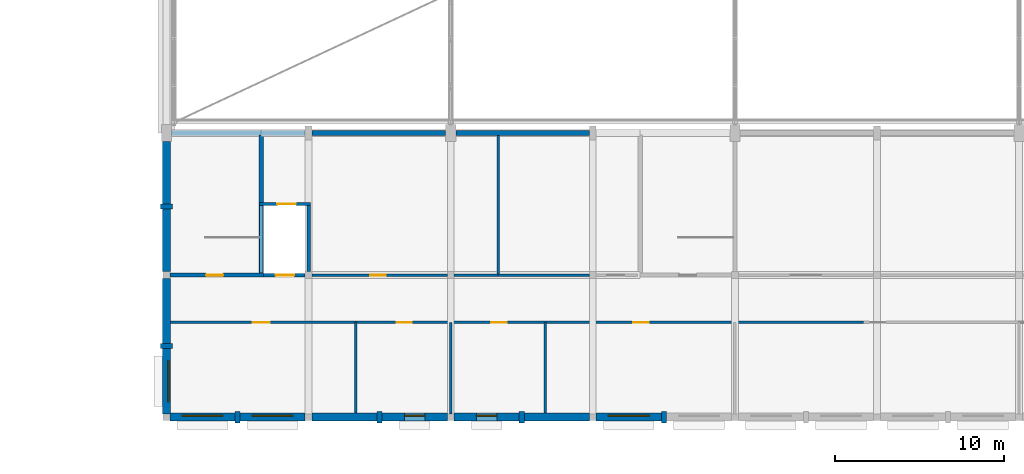
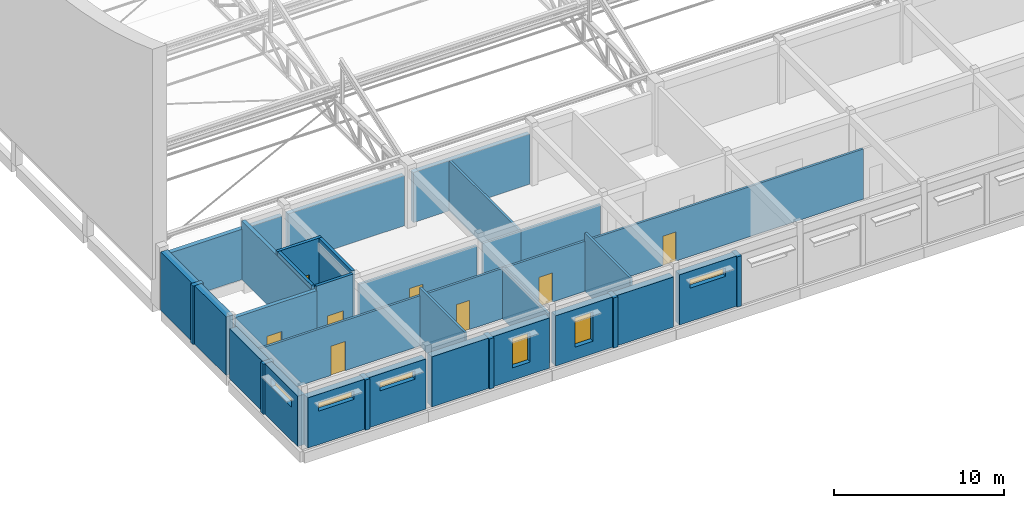
# One storey, part 70 of 101: 35 walls, 8 doors, 6 windows, 14 openings.
"""IFC4 building model written with IfcOpenShell, lengths in metres."""

from ifc_helpers import new_model, si_unit, direction, frame, frame_2d, origin, place, context, subcontext, project, spatial, rectangle, extrude, material, layer, layer_set, type_object, element, fill, save


model = new_model("IFC4")

# Units and contexts
model_context = context("Model", 3, precision=1e-05, world=origin(), true_north=direction((0.0, 1.0)))
body_context = subcontext(model_context, "Body", "Model", "MODEL_VIEW")
ifc_project = project(units=[si_unit("LENGTHUNIT", "METRE"), si_unit("AREAUNIT", "SQUARE_METRE"), si_unit("VOLUMEUNIT", "CUBIC_METRE"), si_unit("PLANEANGLEUNIT", "RADIAN"), si_unit("MASSUNIT", "GRAM", prefix="KILO")], contexts=[model_context])

# Site, building, storey
site_placement = place(None, origin())
site = spatial("IfcSite", under=ifc_project, at=site_placement, CompositionType="ELEMENT")
building_placement = place(site_placement, origin())
building = spatial("IfcBuilding", under=site, at=building_placement, Name="Fescue Hill Polytechnic", CompositionType="ELEMENT")
storey_placement = place(building_placement, frame((0.0, 0.0, 9.0)))
storey = spatial("IfcBuildingStorey", under=building, at=storey_placement, Name="L02", CompositionType="ELEMENT", Elevation=9.0)

# Wall, opening, door
ifc_material_1 = material(Name="Concrete 40 MPa", Category="concrete")
ifc_layer_1 = layer(ifc_material_1, 0.25)
ifc_layer_set_1 = layer_set([ifc_layer_1], Name="Concrete 40 MPa")
wall_type_1 = type_object("IfcWallType", Name="Core wall 250", PredefinedType="SHEAR", material=ifc_layer_set_1)
wall_1_placement = place(storey_placement, frame((0.199951171875, 8.39990234375, 0.0), z_axis=(0.0, 0.0, 1.0), x_axis=(1.0, 0.0, 0.0)))
wall_1 = element("IfcWall", 1, at=wall_1_placement, inside=storey, type_object=wall_type_1, Name="CW-L02-ST-V1-1-11", PredefinedType="SHEAR", context=body_context, shape_type="SweptSolid", body=[
    extrude(rectangle(XDim=5.525146484375, YDim=0.25, at=frame_2d((2.7626953125, 0.0))), origin(), (0.0, 0.0, 1.0), 4.199951171875),
])
opening_1_placement = place(wall_1_placement, frame((2.14990234375, 0.0, 0.0)))
opening_1 = element("IfcOpeningElement", 2, at=opening_1_placement, cuts=wall_1, Name="Opening D2076", PredefinedType="OPENING", context=body_context, shape_type="SweptSolid", body=[
    extrude(rectangle(XDim=1.0, YDim=2.10009765625, at=frame_2d((0.5, 1.050048828125))), frame((0.0, 0.135009765625, 0.0), z_axis=(0.0, -1.0, 0.0), x_axis=(1.0, 0.0, 0.0)), (0.0, 0.0, 1.0), 0.27001953125),
])
ifc_material_2 = material(Name="Steel fire door", Category="steel")
door_type_1 = type_object("IfcDoorType", Name="Door single swing 1000x2100 stair fire rated", OperationType="NOTDEFINED", PredefinedType="DOOR", material=ifc_material_2)
door_1_placement = place(opening_1_placement, origin())
door_1 = element("IfcDoor", 3, at=door_1_placement, inside=storey, type_object=door_type_1, Name="L02 ST-V1-1 stair door", OperationType="SINGLE_SWING_RIGHT", OverallHeight=2.10009765625, OverallWidth=1.0, PredefinedType="DOOR", context=body_context, shape_type="SweptSolid", body=[
    extrude(rectangle(XDim=1.0, YDim=2.10009765625, at=frame_2d((0.5, 1.050048828125))), frame((0.0, 0.02490234375, 0.0), z_axis=(0.0, -1.0, 0.0), x_axis=(1.0, 0.0, 0.0)), (0.0, 0.0, 1.0), 0.050048828125),
])
fill(opening_1, door_1)

# Wall
wall_2_placement = place(storey_placement, frame((5.60009765625, 8.52490234375, 0.0), z_axis=(0.0, 0.0, 1.0), x_axis=(0.0, 1.0, 0.0)))
element("IfcWall", 4, at=wall_2_placement, inside=storey, type_object=wall_type_1, Name="CW-L02-ST-V1-1-41", PredefinedType="SHEAR", context=body_context, shape_type="SweptSolid", body=[
    extrude(rectangle(XDim=8.150146484375, YDim=0.25, at=frame_2d((4.0751953125, 0.0))), origin(), (0.0, 0.0, 1.0), 4.199951171875),
])

# Wall, openings, doors
ifc_material_3 = material(Name="Gypsum board partition")
ifc_layer_2 = layer(ifc_material_3, 0.14990234375)
ifc_layer_set_2 = layer_set([ifc_layer_2], Name="Gypsum board partition")
wall_type_2 = type_object("IfcWallType", Name="Corridor wall 150 EI 45", PredefinedType="PARTITIONING", material=ifc_layer_set_2)
wall_3_placement = place(storey_placement, frame((11.199951171875, 5.60009765625, 0.0), z_axis=(0.0, 0.0, 1.0), x_axis=(1.0, 0.0, 0.0)))
wall_3 = element("IfcWall", 5, at=wall_3_placement, inside=storey, type_object=wall_type_2, Name="IW-L02-001", PredefinedType="PARTITIONING", context=body_context, shape_type="SweptSolid", body=[
    extrude(rectangle(XDim=30.0, YDim=0.14990234375, at=frame_2d((15.0, 0.0))), origin(), (0.0, 0.0, 1.0), 3.60009765625),
])
opening_2_placement = place(wall_3_placement, frame((2.39990234375, 0.0, 0.0)))
opening_2 = element("IfcOpeningElement", 6, at=opening_2_placement, cuts=wall_3, Name="Opening D2009", PredefinedType="OPENING", context=body_context, shape_type="SweptSolid", body=[
    extrude(rectangle(XDim=0.89990234375, YDim=2.10009765625, at=frame_2d((0.449951171875, 1.050048828125))), frame((0.0, 0.0849609375, 0.0), z_axis=(0.0, -1.0, 0.0), x_axis=(1.0, 0.0, 0.0)), (0.0, 0.0, 1.0), 0.169921875),
])
opening_3_placement = place(wall_3_placement, frame((8.0, 0.0, 0.0)))
opening_3 = element("IfcOpeningElement", 7, at=opening_3_placement, cuts=wall_3, Name="Opening D2010", PredefinedType="OPENING", context=body_context, shape_type="SweptSolid", body=[
    extrude(rectangle(XDim=0.89990234375, YDim=2.10009765625, at=frame_2d((0.449951171875, 1.050048828125))), frame((0.0, 0.0849609375, 0.0), z_axis=(0.0, -1.0, 0.0), x_axis=(1.0, 0.0, 0.0)), (0.0, 0.0, 1.0), 0.169921875),
])
opening_4_placement = place(wall_3_placement, frame((16.39990234375, 0.0, 0.0)))
opening_4 = element("IfcOpeningElement", 8, at=opening_4_placement, cuts=wall_3, Name="Opening D2011", PredefinedType="OPENING", context=body_context, shape_type="SweptSolid", body=[
    extrude(rectangle(XDim=0.89990234375, YDim=2.10009765625, at=frame_2d((0.449951171875, 1.050048828125))), frame((0.0, 0.0849609375, 0.0), z_axis=(0.0, -1.0, 0.0), x_axis=(1.0, 0.0, 0.0)), (0.0, 0.0, 1.0), 0.169921875),
])
ifc_material_4 = material(Name="Timber", Category="wood")
door_type_2 = type_object("IfcDoorType", Name="Door single swing 900x2100 FD30S", OperationType="SINGLE_SWING_LEFT", PredefinedType="DOOR", material=ifc_material_4)
door_2_placement = place(opening_2_placement, origin())
door_2 = element("IfcDoor", 9, at=door_2_placement, inside=storey, type_object=door_type_2, Name="Door D2009", OperationType="SINGLE_SWING_LEFT", OverallHeight=2.10009765625, OverallWidth=0.89990234375, PredefinedType="DOOR", context=body_context, shape_type="SweptSolid", body=[
    extrude(rectangle(XDim=0.89990234375, YDim=2.10009765625, at=frame_2d((0.449951171875, 1.050048828125))), frame((0.0, 0.02490234375, 0.0), z_axis=(0.0, -1.0, 0.0), x_axis=(1.0, 0.0, 0.0)), (0.0, 0.0, 1.0), 0.050048828125),
])
fill(opening_2, door_2)
door_3_placement = place(opening_3_placement, origin())
door_3 = element("IfcDoor", 10, at=door_3_placement, inside=storey, type_object=door_type_2, Name="Door D2010", OperationType="SINGLE_SWING_LEFT", OverallHeight=2.10009765625, OverallWidth=0.89990234375, PredefinedType="DOOR", context=body_context, shape_type="SweptSolid", body=[
    extrude(rectangle(XDim=0.89990234375, YDim=2.10009765625, at=frame_2d((0.449951171875, 1.050048828125))), frame((0.0, 0.02490234375, 0.0), z_axis=(0.0, -1.0, 0.0), x_axis=(1.0, 0.0, 0.0)), (0.0, 0.0, 1.0), 0.050048828125),
])
fill(opening_3, door_3)
door_4_placement = place(opening_4_placement, origin())
door_4 = element("IfcDoor", 11, at=door_4_placement, inside=storey, type_object=door_type_2, Name="Door D2011", OperationType="SINGLE_SWING_RIGHT", OverallHeight=2.10009765625, OverallWidth=0.89990234375, PredefinedType="DOOR", context=body_context, shape_type="SweptSolid", body=[
    extrude(rectangle(XDim=0.89990234375, YDim=2.10009765625, at=frame_2d((0.449951171875, 1.050048828125))), frame((0.0, 0.02490234375, 0.0), z_axis=(0.0, -1.0, 0.0), x_axis=(1.0, 0.0, 0.0)), (0.0, 0.0, 1.0), 0.050048828125),
])
fill(opening_4, door_4)

# Wall, opening, door
wall_4_placement = place(storey_placement, frame((8.60009765625, 8.39990234375, 0.0), z_axis=(0.0, 0.0, 1.0), x_axis=(1.0, 0.0, 0.0)))
wall_4 = element("IfcWall", 12, at=wall_4_placement, inside=storey, type_object=wall_type_2, Name="IW-L02-009", PredefinedType="PARTITIONING", context=body_context, shape_type="SweptSolid", body=[
    extrude(rectangle(XDim=8.0, YDim=0.14990234375, at=frame_2d((4.0, 0.0))), origin(), (0.0, 0.0, 1.0), 3.60009765625),
])
opening_5_placement = place(wall_4_placement, frame((3.449951171875, 0.0, 0.0)))
opening_5 = element("IfcOpeningElement", 13, at=opening_5_placement, cuts=wall_4, Name="Opening D2021", PredefinedType="OPENING", context=body_context, shape_type="SweptSolid", body=[
    extrude(rectangle(XDim=0.89990234375, YDim=2.10009765625, at=frame_2d((0.449951171875, 1.050048828125))), frame((0.0, 0.0849609375, 0.0), z_axis=(0.0, -1.0, 0.0), x_axis=(1.0, 0.0, 0.0)), (0.0, 0.0, 1.0), 0.169921875),
])
door_5_placement = place(opening_5_placement, origin())
door_5 = element("IfcDoor", 14, at=door_5_placement, inside=storey, type_object=door_type_2, Name="Door D2021", OperationType="SINGLE_SWING_LEFT", OverallHeight=2.10009765625, OverallWidth=0.89990234375, PredefinedType="DOOR", context=body_context, shape_type="SweptSolid", body=[
    extrude(rectangle(XDim=0.89990234375, YDim=2.10009765625, at=frame_2d((0.449951171875, 1.050048828125))), frame((0.0, 0.02490234375, 0.0), z_axis=(0.0, -1.0, 0.0), x_axis=(1.0, 0.0, 0.0)), (0.0, 0.0, 1.0), 0.050048828125),
])
fill(opening_5, door_5)

# Walls
wall_5_placement = place(storey_placement, frame((17.0, 8.39990234375, 0.0), z_axis=(0.0, 0.0, 1.0), x_axis=(1.0, 0.0, 0.0)))
element("IfcWall", 15, at=wall_5_placement, inside=storey, type_object=wall_type_2, Name="IW-L02-010", PredefinedType="PARTITIONING", context=body_context, shape_type="SweptSolid", body=[
    extrude(rectangle(XDim=2.60009765625, YDim=0.14990234375, at=frame_2d((1.300048828125, 0.0))), origin(), (0.0, 0.0, 1.0), 3.60009765625),
])
ifc_material_5 = material(Name="Clay brick masonry", Category="masonry")
ifc_layer_3 = layer(ifc_material_5, 0.47998046875)
ifc_layer_set_3 = layer_set([ifc_layer_3], Name="Clay brick masonry")
wall_type_3 = type_object("IfcWallType", Name="Exterior wall engineering brick cavity 480", PredefinedType="SOLIDWALL", material=ifc_layer_set_3)
wall_6_placement = place(storey_placement, frame((0.0, 8.199951171875, 0.0), z_axis=(0.0, 0.0, 1.0), x_axis=(0.0, -1.0, 0.0)))
element("IfcWall", 16, at=wall_6_placement, inside=storey, type_object=wall_type_3, Name="EW-L02-V1-21", PredefinedType="SOLIDWALL", context=body_context, shape_type="SweptSolid", body=[
    extrude(rectangle(XDim=3.849853515625, YDim=0.47998046875, at=frame_2d((1.9248046875, 0.0))), origin(), (0.0, 0.0, 1.0), 3.60009765625),
])

# Wall, opening, window
wall_7_placement = place(storey_placement, frame((0.0, 4.050048828125, 0.0), z_axis=(0.0, 0.0, 1.0), x_axis=(0.0, -1.0, 0.0)))
wall_7 = element("IfcWall", 17, at=wall_7_placement, inside=storey, type_object=wall_type_3, Name="EW-L02-V1-22", PredefinedType="SOLIDWALL", context=body_context, shape_type="SweptSolid", body=[
    extrude(rectangle(XDim=3.85009765625, YDim=0.47998046875, at=frame_2d((1.925048828125, 0.0))), origin(), (0.0, 0.0, 1.0), 3.60009765625),
])
opening_6_placement = place(wall_7_placement, frame((0.72509765625, 0.0, 2.39990234375)))
opening_6 = element("IfcOpeningElement", 18, at=opening_6_placement, cuts=wall_7, Name="Opening W2R", PredefinedType="OPENING", context=body_context, shape_type="SweptSolid", body=[
    extrude(rectangle(XDim=2.39990234375, YDim=0.60009765625, at=frame_2d((1.199951171875, 0.300048828125))), frame((0.0, 0.25, 0.0), z_axis=(0.0, -1.0, 0.0), x_axis=(1.0, 0.0, 0.0)), (0.0, 0.0, 1.0), 0.5),
])
ifc_material_6 = material(Name="Powder-coated aluminium and glass", Category="aluminium")
window_type_1 = type_object("IfcWindowType", Name="Window workshop high 2400x600", PartitioningType="TRIPLE_PANEL_VERTICAL", PredefinedType="WINDOW", material=ifc_material_6)
window_1_placement = place(opening_6_placement, origin())
window_1 = element("IfcWindow", 19, at=window_1_placement, inside=storey, type_object=window_type_1, Name="WN-L02-V1-2", OverallHeight=0.60009765625, OverallWidth=2.39990234375, PartitioningType="SINGLE_PANEL", PredefinedType="WINDOW", context=body_context, shape_type="SweptSolid", body=[
    extrude(rectangle(XDim=2.39990234375, YDim=0.60009765625, at=frame_2d((1.199951171875, 0.300048828125))), frame((0.0, 0.1201171875, 0.0), z_axis=(0.0, -1.0, 0.0), x_axis=(1.0, 0.0, 0.0)), (0.0, 0.0, 1.0), 0.06005859375),
])
fill(opening_6, window_1)

wall_8_placement = place(storey_placement, frame((0.199951171875, 0.0, 0.0), z_axis=(0.0, 0.0, 1.0), x_axis=(1.0, 0.0, 0.0)))
wall_8 = element("IfcWall", 20, at=wall_8_placement, inside=storey, type_object=wall_type_3, Name="EW-L02-V1-23", PredefinedType="SOLIDWALL", context=body_context, shape_type="SweptSolid", body=[
    extrude(rectangle(XDim=3.85009765625, YDim=0.47998046875, at=frame_2d((1.925048828125, 0.0))), origin(), (0.0, 0.0, 1.0), 3.60009765625),
])
opening_7_placement = place(wall_8_placement, frame((0.72509765625, 0.0, 2.39990234375)))
opening_7 = element("IfcOpeningElement", 21, at=opening_7_placement, cuts=wall_8, Name="Opening W2R", PredefinedType="OPENING", context=body_context, shape_type="SweptSolid", body=[
    extrude(rectangle(XDim=2.39990234375, YDim=0.60009765625, at=frame_2d((1.199951171875, 0.300048828125))), frame((0.0, 0.25, 0.0), z_axis=(0.0, -1.0, 0.0), x_axis=(1.0, 0.0, 0.0)), (0.0, 0.0, 1.0), 0.5),
])
window_2_placement = place(opening_7_placement, origin())
window_2 = element("IfcWindow", 22, at=window_2_placement, inside=storey, type_object=window_type_1, Name="WN-L02-V1-3", OverallHeight=0.60009765625, OverallWidth=2.39990234375, PartitioningType="SINGLE_PANEL", PredefinedType="WINDOW", context=body_context, shape_type="SweptSolid", body=[
    extrude(rectangle(XDim=2.39990234375, YDim=0.60009765625, at=frame_2d((1.199951171875, 0.300048828125))), frame((0.0, 0.1201171875, 0.0), z_axis=(0.0, -1.0, 0.0), x_axis=(1.0, 0.0, 0.0)), (0.0, 0.0, 1.0), 0.06005859375),
])
fill(opening_7, window_2)

wall_9_placement = place(storey_placement, frame((4.35009765625, 0.0, 0.0), z_axis=(0.0, 0.0, 1.0), x_axis=(1.0, 0.0, 0.0)))
wall_9 = element("IfcWall", 23, at=wall_9_placement, inside=storey, type_object=wall_type_3, Name="EW-L02-V1-24", PredefinedType="SOLIDWALL", context=body_context, shape_type="SweptSolid", body=[
    extrude(rectangle(XDim=3.849853515625, YDim=0.47998046875, at=frame_2d((1.9248046875, 0.0))), origin(), (0.0, 0.0, 1.0), 3.60009765625),
])
opening_8_placement = place(wall_9_placement, frame((0.72509765625, 0.0, 2.39990234375)))
opening_8 = element("IfcOpeningElement", 24, at=opening_8_placement, cuts=wall_9, Name="Opening W2R", PredefinedType="OPENING", context=body_context, shape_type="SweptSolid", body=[
    extrude(rectangle(XDim=2.39990234375, YDim=0.60009765625, at=frame_2d((1.199951171875, 0.300048828125))), frame((0.0, 0.25, 0.0), z_axis=(0.0, -1.0, 0.0), x_axis=(1.0, 0.0, 0.0)), (0.0, 0.0, 1.0), 0.5),
])
window_3_placement = place(opening_8_placement, origin())
window_3 = element("IfcWindow", 25, at=window_3_placement, inside=storey, type_object=window_type_1, Name="WN-L02-V1-4", OverallHeight=0.60009765625, OverallWidth=2.39990234375, PartitioningType="SINGLE_PANEL", PredefinedType="WINDOW", context=body_context, shape_type="SweptSolid", body=[
    extrude(rectangle(XDim=2.39990234375, YDim=0.60009765625, at=frame_2d((1.199951171875, 0.300048828125))), frame((0.0, 0.1201171875, 0.0), z_axis=(0.0, -1.0, 0.0), x_axis=(1.0, 0.0, 0.0)), (0.0, 0.0, 1.0), 0.06005859375),
])
fill(opening_8, window_3)

# Wall
wall_10_placement = place(storey_placement, frame((8.60009765625, 0.0, 0.0), z_axis=(0.0, 0.0, 1.0), x_axis=(1.0, 0.0, 0.0)))
element("IfcWall", 26, at=wall_10_placement, inside=storey, type_object=wall_type_3, Name="EW-L02-V1-25", PredefinedType="SOLIDWALL", context=body_context, shape_type="SweptSolid", body=[
    extrude(rectangle(XDim=3.849853515625, YDim=0.47998046875, at=frame_2d((1.9248046875, 0.0))), origin(), (0.0, 0.0, 1.0), 3.60009765625),
])

# Wall, opening, window
wall_11_placement = place(storey_placement, frame((12.75, 0.0, 0.0), z_axis=(0.0, 0.0, 1.0), x_axis=(1.0, 0.0, 0.0)))
wall_11 = element("IfcWall", 27, at=wall_11_placement, inside=storey, type_object=wall_type_3, Name="EW-L02-V1-26", PredefinedType="SOLIDWALL", context=body_context, shape_type="SweptSolid", body=[
    extrude(rectangle(XDim=3.85009765625, YDim=0.47998046875, at=frame_2d((1.925048828125, 0.0))), origin(), (0.0, 0.0, 1.0), 3.60009765625),
])
opening_9_placement = place(wall_11_placement, frame((1.324951171875, 0.0, 0.89990234375)))
opening_9 = element("IfcOpeningElement", 28, at=opening_9_placement, cuts=wall_11, Name="Opening W13", PredefinedType="OPENING", context=body_context, shape_type="SweptSolid", body=[
    extrude(rectangle(XDim=1.199951171875, YDim=2.10009765625, at=frame_2d((0.60009765625, 1.050048828125))), frame((0.0, 0.25, 0.0), z_axis=(0.0, -1.0, 0.0), x_axis=(1.0, 0.0, 0.0)), (0.0, 0.0, 1.0), 0.5),
])
window_type_2 = type_object("IfcWindowType", Name="Window cellular office 1200x2100", PartitioningType="SINGLE_PANEL", PredefinedType="WINDOW", material=ifc_material_6)
window_4_placement = place(opening_9_placement, origin())
window_4 = element("IfcWindow", 29, at=window_4_placement, inside=storey, type_object=window_type_2, Name="WN-L02-V1-5", OverallHeight=2.10009765625, OverallWidth=1.199951171875, PartitioningType="SINGLE_PANEL", PredefinedType="WINDOW", context=body_context, shape_type="SweptSolid", body=[
    extrude(rectangle(XDim=1.199951171875, YDim=2.10009765625, at=frame_2d((0.60009765625, 1.050048828125))), frame((0.0, 0.1201171875, 0.0), z_axis=(0.0, -1.0, 0.0), x_axis=(1.0, 0.0, 0.0)), (0.0, 0.0, 1.0), 0.06005859375),
])
fill(opening_9, window_4)

wall_12_placement = place(storey_placement, frame((17.0, 0.0, 0.0), z_axis=(0.0, 0.0, 1.0), x_axis=(1.0, 0.0, 0.0)))
wall_12 = element("IfcWall", 30, at=wall_12_placement, inside=storey, type_object=wall_type_3, Name="EW-L02-V1-27", PredefinedType="SOLIDWALL", context=body_context, shape_type="SweptSolid", body=[
    extrude(rectangle(XDim=3.85009765625, YDim=0.47998046875, at=frame_2d((1.925048828125, 0.0))), origin(), (0.0, 0.0, 1.0), 3.60009765625),
])
opening_10_placement = place(wall_12_placement, frame((1.324951171875, 0.0, 0.89990234375)))
opening_10 = element("IfcOpeningElement", 31, at=opening_10_placement, cuts=wall_12, Name="Opening W13", PredefinedType="OPENING", context=body_context, shape_type="SweptSolid", body=[
    extrude(rectangle(XDim=1.199951171875, YDim=2.10009765625, at=frame_2d((0.60009765625, 1.050048828125))), frame((0.0, 0.25, 0.0), z_axis=(0.0, -1.0, 0.0), x_axis=(1.0, 0.0, 0.0)), (0.0, 0.0, 1.0), 0.5),
])
window_5_placement = place(opening_10_placement, origin())
window_5 = element("IfcWindow", 32, at=window_5_placement, inside=storey, type_object=window_type_2, Name="WN-L02-V1-6", OverallHeight=2.10009765625, OverallWidth=1.199951171875, PartitioningType="SINGLE_PANEL", PredefinedType="WINDOW", context=body_context, shape_type="SweptSolid", body=[
    extrude(rectangle(XDim=1.199951171875, YDim=2.10009765625, at=frame_2d((0.60009765625, 1.050048828125))), frame((0.0, 0.1201171875, 0.0), z_axis=(0.0, -1.0, 0.0), x_axis=(1.0, 0.0, 0.0)), (0.0, 0.0, 1.0), 0.06005859375),
])
fill(opening_10, window_5)

# Wall
wall_13_placement = place(storey_placement, frame((21.14990234375, 0.0, 0.0), z_axis=(0.0, 0.0, 1.0), x_axis=(1.0, 0.0, 0.0)))
element("IfcWall", 33, at=wall_13_placement, inside=storey, type_object=wall_type_3, Name="EW-L02-V1-28", PredefinedType="SOLIDWALL", context=body_context, shape_type="SweptSolid", body=[
    extrude(rectangle(XDim=3.85009765625, YDim=0.47998046875, at=frame_2d((1.925048828125, 0.0))), origin(), (0.0, 0.0, 1.0), 3.60009765625),
])

# Wall, opening, window
wall_14_placement = place(storey_placement, frame((25.39990234375, 0.0, 0.0), z_axis=(0.0, 0.0, 1.0), x_axis=(1.0, 0.0, 0.0)))
wall_14 = element("IfcWall", 34, at=wall_14_placement, inside=storey, type_object=wall_type_3, Name="EW-L02-V1-29", PredefinedType="SOLIDWALL", context=body_context, shape_type="SweptSolid", body=[
    extrude(rectangle(XDim=3.85009765625, YDim=0.47998046875, at=frame_2d((1.925048828125, 0.0))), origin(), (0.0, 0.0, 1.0), 3.60009765625),
])
opening_11_placement = place(wall_14_placement, frame((0.72509765625, 0.0, 2.39990234375)))
opening_11 = element("IfcOpeningElement", 35, at=opening_11_placement, cuts=wall_14, Name="Opening W2R", PredefinedType="OPENING", context=body_context, shape_type="SweptSolid", body=[
    extrude(rectangle(XDim=2.39990234375, YDim=0.60009765625, at=frame_2d((1.199951171875, 0.300048828125))), frame((0.0, 0.25, 0.0), z_axis=(0.0, -1.0, 0.0), x_axis=(1.0, 0.0, 0.0)), (0.0, 0.0, 1.0), 0.5),
])
window_6_placement = place(opening_11_placement, origin())
window_6 = element("IfcWindow", 36, at=window_6_placement, inside=storey, type_object=window_type_1, Name="WN-L02-V1-7", OverallHeight=0.60009765625, OverallWidth=2.39990234375, PartitioningType="SINGLE_PANEL", PredefinedType="WINDOW", context=body_context, shape_type="SweptSolid", body=[
    extrude(rectangle(XDim=2.39990234375, YDim=0.60009765625, at=frame_2d((1.199951171875, 0.300048828125))), frame((0.0, 0.1201171875, 0.0), z_axis=(0.0, -1.0, 0.0), x_axis=(1.0, 0.0, 0.0)), (0.0, 0.0, 1.0), 0.06005859375),
])
fill(opening_11, window_6)

# Walls
ifc_layer_4 = layer(ifc_material_5, 0.47998046875)
ifc_layer_set_4 = layer_set([ifc_layer_4], Name="Clay brick masonry")
wall_type_4 = type_object("IfcWallType", Name="Exterior wall engineering brick cavity 480 load-bearing", PredefinedType="SOLIDWALL", material=ifc_layer_set_4)
for number, where, z_axis, x_axis, name in (
    (37, (0.0, 16.300048828125, 0.0), (0.0, 0.0, 1.0), (0.0, -1.0, 0.0), "EW-L02-V1-19"),
    (38, (0.0, 12.300048828125, 0.0), (0.0, 0.0, 1.0), (0.0, -1.0, 0.0), "EW-L02-V1-20"),
):
    element("IfcWall", number, at=place(storey_placement, frame(where, z_axis=z_axis, x_axis=x_axis)), inside=storey, type_object=wall_type_4, Name=name, PredefinedType="SOLIDWALL", context=body_context, shape_type="SweptSolid", body=[
        extrude(rectangle(XDim=3.699951171875, YDim=0.47998046875, at=frame_2d((1.85009765625, 0.0))), origin(), (0.0, 0.0, 1.0), 4.199951171875),
    ])
ifc_layer_5 = layer(ifc_material_1, 0.699951171875)
ifc_layer_set_5 = layer_set([ifc_layer_5], Name="Concrete 40 MPa")
wall_type_5 = type_object("IfcWallType", Name="Fin wall board-marked 300x700", PredefinedType="SOLIDWALL", material=ifc_layer_set_5)
for number, where, z_axis, x_axis, name in (
    (39, (0.0, 4.35009765625, 0.0), (0.0, 0.0, 1.0), (0.0, -1.0, 0.0), "PR-L02-V1-4"),
    (40, (4.050048828125, 0.0, 0.0), (0.0, 0.0, 1.0), (1.0, 0.0, 0.0), "PR-L02-V1-5"),
    (41, (12.449951171875, 0.0, 0.0), (0.0, 0.0, 1.0), (1.0, 0.0, 0.0), "PR-L02-V1-6"),
):
    element("IfcWall", number, at=place(storey_placement, frame(where, z_axis=z_axis, x_axis=x_axis)), inside=storey, type_object=wall_type_5, Name=name, PredefinedType="SOLIDWALL", context=body_context, shape_type="SweptSolid", body=[
        extrude(rectangle(XDim=0.300048828125, YDim=0.699951171875, at=frame_2d((0.14990234375, 0.0))), origin(), (0.0, 0.0, 1.0), 3.60009765625),
    ])
wall_15_placement = place(storey_placement, frame((20.85009765625, 0.0, 0.0), z_axis=(0.0, 0.0, 1.0), x_axis=(1.0, 0.0, 0.0)))
element("IfcWall", 42, at=wall_15_placement, inside=storey, type_object=wall_type_5, Name="PR-L02-V1-7", PredefinedType="SOLIDWALL", context=body_context, shape_type="SweptSolid", body=[
    extrude(rectangle(XDim=0.2998046875, YDim=0.699951171875, at=frame_2d((0.14990234375, 0.0))), origin(), (0.0, 0.0, 1.0), 3.60009765625),
])
wall_16_placement = place(storey_placement, frame((29.25, 0.0, 0.0), z_axis=(0.0, 0.0, 1.0), x_axis=(1.0, 0.0, 0.0)))
element("IfcWall", 43, at=wall_16_placement, inside=storey, type_object=wall_type_5, Name="PR-L02-V1-8", PredefinedType="SOLIDWALL", context=body_context, shape_type="SweptSolid", body=[
    extrude(rectangle(XDim=0.300048828125, YDim=0.699951171875, at=frame_2d((0.14990234375, 0.0))), origin(), (0.0, 0.0, 1.0), 3.60009765625),
])
ifc_layer_6 = layer(ifc_material_1, 0.699951171875)
ifc_layer_set_6 = layer_set([ifc_layer_6], Name="Concrete 40 MPa")
wall_type_6 = type_object("IfcWallType", Name="Fin wall board-marked 300x700 load-bearing", PredefinedType="SOLIDWALL", material=ifc_layer_set_6)
wall_17_placement = place(storey_placement, frame((0.0, 12.60009765625, 0.0), z_axis=(0.0, 0.0, 1.0), x_axis=(0.0, -1.0, 0.0)))
element("IfcWall", 44, at=wall_17_placement, inside=storey, type_object=wall_type_6, Name="PR-L02-V1-3", PredefinedType="SOLIDWALL", context=body_context, shape_type="SweptSolid", body=[
    extrude(rectangle(XDim=0.300048828125, YDim=0.699951171875, at=frame_2d((0.14990234375, 0.0))), origin(), (0.0, 0.0, 1.0), 4.199951171875),
])
ifc_layer_7 = layer(ifc_material_1, 0.300048828125)
ifc_layer_set_7 = layer_set([ifc_layer_7], Name="Concrete 40 MPa")
wall_type_7 = type_object("IfcWallType", Name="Hall wall concrete 300 fire rated", PredefinedType="SOLIDWALL", material=ifc_layer_set_7)
for number, where, z_axis, x_axis, name in (
    (45, (25.0, 16.800048828125, 0.0), (0.0, 0.0, 1.0), (-1.0, 0.0, 0.0), "EW-L02-V1-16"),
    (46, (16.5, 16.800048828125, 0.0), (0.0, 0.0, 1.0), (-1.0, 0.0, 0.0), "EW-L02-V1-17"),
):
    element("IfcWall", number, at=place(storey_placement, frame(where, z_axis=z_axis, x_axis=x_axis)), inside=storey, type_object=wall_type_7, Name=name, PredefinedType="SOLIDWALL", context=body_context, shape_type="SweptSolid", body=[
        extrude(rectangle(XDim=7.89990234375, YDim=0.300048828125, at=frame_2d((3.949951171875, 0.0))), origin(), (0.0, 0.0, 1.0), 3.60009765625),
    ])
ifc_layer_8 = layer(ifc_material_1, 0.300048828125)
ifc_layer_set_8 = layer_set([ifc_layer_8], Name="Concrete 40 MPa")
wall_type_8 = type_object("IfcWallType", Name="Hall wall concrete 300 load-bearing REI 120", PredefinedType="SOLIDWALL", material=ifc_layer_set_8)
wall_18_placement = place(storey_placement, frame((8.199951171875, 16.800048828125, 0.0), z_axis=(0.0, 0.0, 1.0), x_axis=(-1.0, 0.0, 0.0)))
element("IfcWall", 47, at=wall_18_placement, inside=storey, type_object=wall_type_8, Name="EW-L02-V1-18", PredefinedType="SOLIDWALL", context=body_context, shape_type="SweptSolid", body=[
    extrude(rectangle(XDim=7.89990234375, YDim=0.300048828125, at=frame_2d((3.949951171875, 0.0))), origin(), (0.0, 0.0, 1.0), 3.60009765625),
])

# Wall, opening, door
ifc_material_7 = material(Name="Concrete masonry block 15 MPa", Category="masonry")
ifc_layer_9 = layer(ifc_material_7, 0.14990234375)
ifc_layer_set_9 = layer_set([ifc_layer_9], Name="Concrete masonry block 15 MPa")
wall_type_9 = type_object("IfcWallType", Name="Laboratory wall 150 block EI 60", PredefinedType="PARTITIONING", material=ifc_layer_set_9)
wall_19_placement = place(storey_placement, frame((0.239990234375, 5.60009765625, 0.0), z_axis=(0.0, 0.0, 1.0), x_axis=(1.0, 0.0, 0.0)))
wall_19 = element("IfcWall", 48, at=wall_19_placement, inside=storey, type_object=wall_type_9, Name="IW-L02-005", PredefinedType="PARTITIONING", context=body_context, shape_type="SweptSolid", body=[
    extrude(rectangle(XDim=10.9599609375, YDim=0.14990234375, at=frame_2d((5.47998046875, 0.0))), origin(), (0.0, 0.0, 1.0), 3.60009765625),
])
opening_12_placement = place(wall_19_placement, frame((4.85009765625, 0.0, 0.0)))
opening_12 = element("IfcOpeningElement", 49, at=opening_12_placement, cuts=wall_19, Name="Opening D2008", PredefinedType="OPENING", context=body_context, shape_type="SweptSolid", body=[
    extrude(rectangle(XDim=1.0, YDim=2.10009765625, at=frame_2d((0.5, 1.050048828125))), frame((0.0, 0.0849609375, 0.0), z_axis=(0.0, -1.0, 0.0), x_axis=(1.0, 0.0, 0.0)), (0.0, 0.0, 1.0), 0.169921875),
])
ifc_material_8 = material(Name="Steel", Category="steel")
door_type_3 = type_object("IfcDoorType", Name="Door single swing 1000x2100 FD60", OperationType="SINGLE_SWING_LEFT", PredefinedType="DOOR", material=ifc_material_8)
door_6_placement = place(opening_12_placement, origin())
door_6 = element("IfcDoor", 50, at=door_6_placement, inside=storey, type_object=door_type_3, Name="Door D2008", OperationType="SINGLE_SWING_LEFT", OverallHeight=2.10009765625, OverallWidth=1.0, PredefinedType="DOOR", context=body_context, shape_type="SweptSolid", body=[
    extrude(rectangle(XDim=1.0, YDim=2.10009765625, at=frame_2d((0.5, 1.050048828125))), frame((0.0, 0.02490234375, 0.0), z_axis=(0.0, -1.0, 0.0), x_axis=(1.0, 0.0, 0.0)), (0.0, 0.0, 1.0), 0.050048828125),
])
fill(opening_12, door_6)

# Walls
wall_20_placement = place(storey_placement, frame((19.60009765625, 8.39990234375, 0.0), z_axis=(0.0, 0.0, 1.0), x_axis=(1.0, 0.0, 0.0)))
element("IfcWall", 51, at=wall_20_placement, inside=storey, type_object=wall_type_9, Name="IW-L02-017", PredefinedType="PARTITIONING", context=body_context, shape_type="SweptSolid", body=[
    extrude(rectangle(XDim=5.39990234375, YDim=0.14990234375, at=frame_2d((2.699951171875, 0.0))), origin(), (0.0, 0.0, 1.0), 3.60009765625),
])
wall_21_placement = place(storey_placement, frame((11.199951171875, 0.239990234375, 0.0), z_axis=(0.0, 0.0, 1.0), x_axis=(0.0, 1.0, 0.0)))
element("IfcWall", 52, at=wall_21_placement, inside=storey, type_object=wall_type_9, Name="IW-L02-085", PredefinedType="PARTITIONING", context=body_context, shape_type="SweptSolid", body=[
    extrude(rectangle(XDim=5.360107421875, YDim=0.14990234375, at=frame_2d((2.68017578125, 0.0))), origin(), (0.0, 0.0, 1.0), 4.14990234375),
])
wall_22_placement = place(storey_placement, frame((19.60009765625, 8.39990234375, 0.0), z_axis=(0.0, 0.0, 1.0), x_axis=(0.0, 1.0, 0.0)))
element("IfcWall", 53, at=wall_22_placement, inside=storey, type_object=wall_type_9, Name="IW-L02-090", PredefinedType="PARTITIONING", context=body_context, shape_type="SweptSolid", body=[
    extrude(rectangle(XDim=8.25, YDim=0.14990234375, at=frame_2d((4.125, 0.0))), origin(), (0.0, 0.0, 1.0), 3.60009765625),
])

# Wall, opening, door
ifc_layer_10 = layer(ifc_material_1, 0.199951171875)
ifc_layer_set_10 = layer_set([ifc_layer_10], Name="Concrete 40 MPa")
wall_type_10 = type_object("IfcWallType", Name="Lift shaft wall 200", PredefinedType="SHEAR", material=ifc_layer_set_10)
wall_23_placement = place(storey_placement, frame((5.5, 12.60009765625, 0.0), z_axis=(0.0, 0.0, 1.0), x_axis=(1.0, 0.0, 0.0)))
wall_23 = element("IfcWall", 54, at=wall_23_placement, inside=storey, type_object=wall_type_10, Name="CW-L02-LF-V1-1-21", PredefinedType="SHEAR", context=body_context, shape_type="SweptSolid", body=[
    extrude(rectangle(XDim=3.0, YDim=0.199951171875, at=frame_2d((1.5, 0.0))), origin(), (0.0, 0.0, 1.0), 4.5),
])
opening_13_placement = place(wall_23_placement, frame((1.050048828125, 0.0, 0.0)))
opening_13 = element("IfcOpeningElement", 55, at=opening_13_placement, cuts=wall_23, Name="Opening LD1-L02N", PredefinedType="OPENING", context=body_context, shape_type="SweptSolid", body=[
    extrude(rectangle(XDim=1.10009765625, YDim=2.10009765625, at=frame_2d((0.550048828125, 1.050048828125))), frame((0.0, 0.10986328125, 0.0), z_axis=(0.0, -1.0, 0.0), x_axis=(1.0, 0.0, 0.0)), (0.0, 0.0, 1.0), 0.219970703125),
])
ifc_material_9 = material(Name="Stainless steel", Category="steel")
door_type_4 = type_object("IfcDoorType", Name="Lift landing door sliding 1100x2100", OperationType="SLIDING_TO_LEFT", PredefinedType="DOOR", material=ifc_material_9)
door_7_placement = place(opening_13_placement, origin())
door_7 = element("IfcDoor", 56, at=door_7_placement, inside=storey, type_object=door_type_4, Name="L02 LF-V1-1 lift landing door", OperationType="SLIDING_TO_LEFT", OverallHeight=2.10009765625, OverallWidth=1.10009765625, PredefinedType="DOOR", context=body_context, shape_type="SweptSolid", body=[
    extrude(rectangle(XDim=1.10009765625, YDim=2.10009765625, at=frame_2d((0.550048828125, 1.050048828125))), frame((0.0, 0.02490234375, 0.0), z_axis=(0.0, -1.0, 0.0), x_axis=(1.0, 0.0, 0.0)), (0.0, 0.0, 1.0), 0.050048828125),
])
fill(opening_13, door_7)

# Wall
wall_24_placement = place(storey_placement, frame((8.39990234375, 8.60009765625, 0.0), z_axis=(0.0, 0.0, 1.0), x_axis=(0.0, 1.0, 0.0)))
element("IfcWall", 57, at=wall_24_placement, inside=storey, type_object=wall_type_10, Name="CW-L02-LF-V1-1-41", PredefinedType="SHEAR", context=body_context, shape_type="SweptSolid", body=[
    extrude(rectangle(XDim=3.89990234375, YDim=0.199951171875, at=frame_2d((1.949951171875, 0.0))), origin(), (0.0, 0.0, 1.0), 4.5),
])

# Wall, opening, door
wall_25_placement = place(storey_placement, frame((5.72509765625, 8.39990234375, 0.0), z_axis=(0.0, 0.0, 1.0), x_axis=(1.0, 0.0, 0.0)))
wall_25 = element("IfcWall", 58, at=wall_25_placement, inside=storey, type_object=wall_type_10, Name="CW-L02-LF-V1-1-11", PredefinedType="SHEAR", context=body_context, shape_type="SweptSolid", body=[
    extrude(rectangle(XDim=2.474853515625, YDim=0.199951171875, at=frame_2d((1.2373046875, 0.0))), origin(), (0.0, 0.0, 1.0), 4.5),
])
opening_14_placement = place(wall_25_placement, frame((0.72509765625, 0.0, 0.0)))
opening_14 = element("IfcOpeningElement", 59, at=opening_14_placement, cuts=wall_25, Name="Opening LD1-L02", PredefinedType="OPENING", context=body_context, shape_type="SweptSolid", body=[
    extrude(rectangle(XDim=1.10009765625, YDim=2.10009765625, at=frame_2d((0.550048828125, 1.050048828125))), frame((0.0, 0.10986328125, 0.0), z_axis=(0.0, -1.0, 0.0), x_axis=(1.0, 0.0, 0.0)), (0.0, 0.0, 1.0), 0.219970703125),
])
door_8_placement = place(opening_14_placement, origin())
door_8 = element("IfcDoor", 60, at=door_8_placement, inside=storey, type_object=door_type_4, Name="L02 LF-V1-1 lift landing door", OperationType="SLIDING_TO_RIGHT", OverallHeight=2.10009765625, OverallWidth=1.10009765625, PredefinedType="DOOR", context=body_context, shape_type="SweptSolid", body=[
    extrude(rectangle(XDim=1.10009765625, YDim=2.10009765625, at=frame_2d((0.550048828125, 1.050048828125))), frame((0.0, 0.02490234375, 0.0), z_axis=(0.0, -1.0, 0.0), x_axis=(1.0, 0.0, 0.0)), (0.0, 0.0, 1.0), 0.050048828125),
])
fill(opening_14, door_8)

# Walls
wall_26_placement = place(storey_placement, frame((5.60009765625, 8.52490234375, 4.199951171875), z_axis=(0.0, 0.0, 1.0), x_axis=(0.0, 1.0, 0.0)))
element("IfcWall", 61, at=wall_26_placement, inside=storey, type_object=wall_type_10, Name="CW-L02-LF-V1-1-31", PredefinedType="SHEAR", context=body_context, shape_type="SweptSolid", body=[
    extrude(rectangle(XDim=3.97509765625, YDim=0.199951171875, at=frame_2d((1.987548828125, 0.0))), origin(), (0.0, 0.0, 1.0), 0.300048828125),
])
ifc_layer_11 = layer(ifc_material_3, 0.14990234375)
ifc_layer_set_11 = layer_set([ifc_layer_11], Name="Gypsum board partition")
wall_type_11 = type_object("IfcWallType", Name="Partition stud 150 acoustic", PredefinedType="PARTITIONING", material=ifc_layer_set_11)
wall_27_placement = place(storey_placement, frame((16.800048828125, 0.199951171875, 0.0), z_axis=(0.0, 0.0, 1.0), x_axis=(0.0, 1.0, 0.0)))
element("IfcWall", 62, at=wall_27_placement, inside=storey, type_object=wall_type_11, Name="IW-L02-089", PredefinedType="PARTITIONING", context=body_context, shape_type="SweptSolid", body=[
    extrude(rectangle(XDim=5.400146484375, YDim=0.14990234375, at=frame_2d((2.7001953125, 0.0))), origin(), (0.0, 0.0, 1.0), 3.60009765625),
])
wall_28_placement = place(storey_placement, frame((22.39990234375, 0.239990234375, 0.0), z_axis=(0.0, 0.0, 1.0), x_axis=(0.0, 1.0, 0.0)))
element("IfcWall", 63, at=wall_28_placement, inside=storey, type_object=wall_type_11, Name="IW-L02-091", PredefinedType="PARTITIONING", context=body_context, shape_type="SweptSolid", body=[
    extrude(rectangle(XDim=5.360107421875, YDim=0.14990234375, at=frame_2d((2.68017578125, 0.0))), origin(), (0.0, 0.0, 1.0), 4.14990234375),
])

save(model, "model.ifc")
